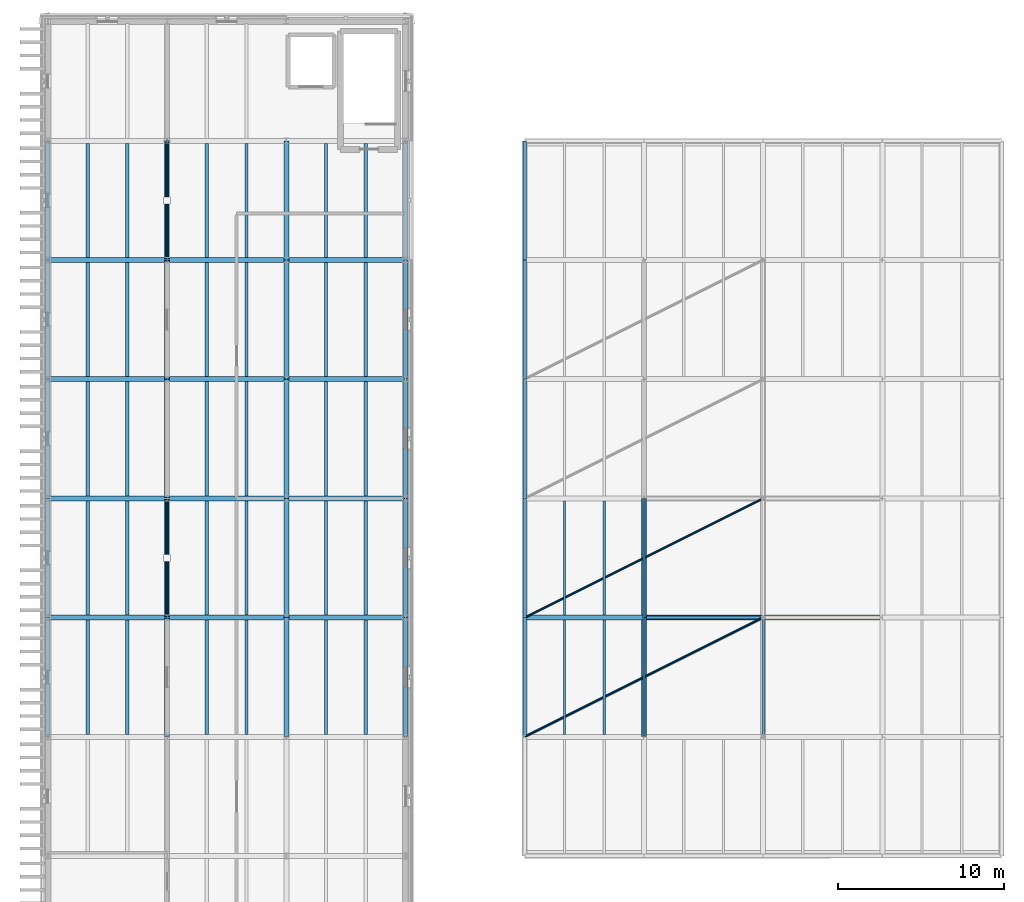
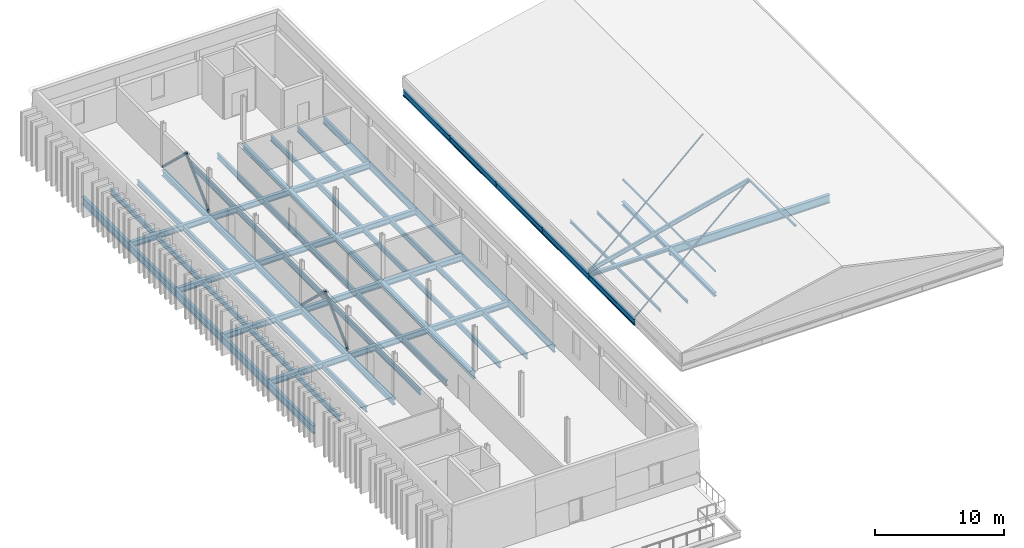
# One storey, part 5 of 44: 75 beams, 10 members.
"""IFC4 building model written with IfcOpenShell, lengths in metres."""

from ifc_helpers import new_model, si_unit, direction, frame, origin, origin_2d, place, context, subcontext, project, spatial, hollow_rectangle, hollow_circle, i_section, extrude, material, material_profile, profile_set, type_object, element, save


model = new_model("IFC4")

# Units and contexts
model_context = context("Model", 3, precision=1e-05, world=origin(), true_north=direction((0.0, 1.0)))
body_context = subcontext(model_context, "Body", "Model", "MODEL_VIEW")
ifc_project = project(units=[si_unit("LENGTHUNIT", "METRE"), si_unit("AREAUNIT", "SQUARE_METRE"), si_unit("VOLUMEUNIT", "CUBIC_METRE"), si_unit("PLANEANGLEUNIT", "RADIAN"), si_unit("MASSUNIT", "GRAM", prefix="KILO")], contexts=[model_context])

# Site, building, storey
site_placement = place(None, origin())
site = spatial("IfcSite", under=ifc_project, at=site_placement, CompositionType="ELEMENT")
building_placement = place(site_placement, origin())
building = spatial("IfcBuilding", under=site, at=building_placement, Name="Narikvali Park Central Library", CompositionType="ELEMENT")
storey_placement = place(building_placement, frame((0.0, 0.0, 22.800048828125)))
storey = spatial("IfcBuildingStorey", under=building, at=storey_placement, Name="L05", CompositionType="ELEMENT", Elevation=22.800048828125)

# Beams
ifc_material = material(Name="Steel S355", Category="steel")
ifc_material_profile_1 = material_profile(ifc_material, i_section(OverallWidth=0.300048828125, OverallDepth=0.7900390625, WebThickness=0.014892578125, FlangeThickness=0.028076171875, FilletRadius=0.030029296875, at=origin_2d()), Name="HEA 800")
ifc_profile_set_1 = profile_set([ifc_material_profile_1], Name="Steel S355")
beam_type_1 = type_object("IfcBeamType", Name="Atrium Span Girder HEA800", PredefinedType="BEAM", material=ifc_profile_set_1)
beam_1_placement = place(storey_placement, frame((36.008056640625, 72.0, -0.635009765625), z_axis=(1.0, 0.0, 0.0), x_axis=(0.0, 1.0, 0.0)))
element("IfcBeam", 1, at=beam_1_placement, inside=storey, type_object=beam_type_1, Name="V4 L05 Girder X", PredefinedType="BEAM", context=body_context, shape_type="SweptSolid", body=[
    extrude(i_section(OverallWidth=0.300048828125, OverallDepth=0.7900390625, WebThickness=0.014892578125, FlangeThickness=0.028076171875, FilletRadius=0.030029296875, at=origin_2d()), origin(), (0.0, 0.0, 1.0), 14.384033203125),
])
ifc_material_profile_2 = material_profile(ifc_material, i_section(OverallWidth=0.135009765625, OverallDepth=0.27001953125, WebThickness=0.006591796875, FlangeThickness=0.01025390625, FilletRadius=0.014892578125, at=origin_2d()), Name="IPE 270")
ifc_profile_set_2 = profile_set([ifc_material_profile_2], Name="Steel S355")
beam_type_2 = type_object("IfcBeamType", Name="Composite Floor Joist IPE270", PredefinedType="JOIST", material=ifc_profile_set_2)
for number, where, z_axis, x_axis, name in (
    (2, (31.199951171875, 64.949951171875, -0.375), (0.0, 1.0, 0.0), (-1.0, 0.0, 0.0), "V4 L05 Composite Joist 1"),
    (3, (33.60009765625, 64.949951171875, -0.375), (0.0, 1.0, 0.0), (-1.0, 0.0, 0.0), "V4 L05 Composite Joist 2"),
    (4, (31.199951171875, 72.14990234375, -0.375), (0.0, 1.0, 0.0), (-1.0, 0.0, 0.0), "V4 L05 Composite Joist 1"),
    (5, (33.60009765625, 72.14990234375, -0.375), (0.0, 1.0, 0.0), (-1.0, 0.0, 0.0), "V4 L05 Composite Joist 2"),
):
    element("IfcBeam", number, at=place(storey_placement, frame(where, z_axis=z_axis, x_axis=x_axis)), inside=storey, type_object=beam_type_2, Name=name, PredefinedType="JOIST", context=body_context, shape_type="SweptSolid", body=[
        extrude(i_section(OverallWidth=0.135009765625, OverallDepth=0.27001953125, WebThickness=0.006591796875, FlangeThickness=0.01025390625, FilletRadius=0.014892578125, at=origin_2d()), origin(), (0.0, 0.0, 1.0), 6.900146484375),
    ])
ifc_material_profile_3 = material_profile(ifc_material, i_section(OverallWidth=0.199951171875, OverallDepth=0.5, WebThickness=0.01025390625, FlangeThickness=0.01611328125, FilletRadius=0.02099609375, at=origin_2d()), Name="IPE 500")
ifc_profile_set_3 = profile_set([ifc_material_profile_3], Name="Steel S355")
beam_type_3 = type_object("IfcBeamType", Name="Composite Floor Joist IPE500", PredefinedType="JOIST", material=ifc_profile_set_3)
for number, where, z_axis, x_axis, name in (
    (6, (2.39990234375, 64.949951171875, -0.510009765625), (0.0, 1.0, 0.0), (-1.0, 0.0, 0.0), "V5 L05 Composite Joist 1"),
    (7, (4.800048828125, 64.949951171875, -0.510009765625), (0.0, 1.0, 0.0), (-1.0, 0.0, 0.0), "V5 L05 Composite Joist 2"),
    (8, (2.39990234375, 72.14990234375, -0.510009765625), (0.0, 1.0, 0.0), (-1.0, 0.0, 0.0), "V5 L05 Composite Joist 1"),
    (9, (4.800048828125, 72.14990234375, -0.510009765625), (0.0, 1.0, 0.0), (-1.0, 0.0, 0.0), "V5 L05 Composite Joist 2"),
):
    element("IfcBeam", number, at=place(storey_placement, frame(where, z_axis=z_axis, x_axis=x_axis)), inside=storey, type_object=beam_type_3, Name=name, PredefinedType="JOIST", context=body_context, shape_type="SweptSolid", body=[
        extrude(i_section(OverallWidth=0.199951171875, OverallDepth=0.5, WebThickness=0.01025390625, FlangeThickness=0.01611328125, FilletRadius=0.02099609375, at=origin_2d()), origin(), (0.0, 0.0, 1.0), 6.900146484375),
    ])
for number, where, z_axis, x_axis, name in (
    (10, (2.39990234375, 79.35009765625, -0.510009765625), (0.0, 1.0, 0.0), (-1.0, 0.0, 0.0), "V5 L05 Composite Joist 1"),
    (11, (4.800048828125, 79.35009765625, -0.510009765625), (0.0, 1.0, 0.0), (-1.0, 0.0, 0.0), "V5 L05 Composite Joist 2"),
    (12, (2.39990234375, 86.550048828125, -0.510009765625), (0.0, 1.0, 0.0), (-1.0, 0.0, 0.0), "V5 L05 Composite Joist 1"),
    (13, (4.800048828125, 86.550048828125, -0.510009765625), (0.0, 1.0, 0.0), (-1.0, 0.0, 0.0), "V5 L05 Composite Joist 2"),
    (14, (2.39990234375, 93.75, -0.510009765625), (0.0, 1.0, 0.0), (-1.0, 0.0, 0.0), "V5 L05 Composite Joist 1"),
    (15, (4.800048828125, 93.75, -0.510009765625), (0.0, 1.0, 0.0), (-1.0, 0.0, 0.0), "V5 L05 Composite Joist 2"),
):
    element("IfcBeam", number, at=place(storey_placement, frame(where, z_axis=z_axis, x_axis=x_axis)), inside=storey, type_object=beam_type_3, Name=name, PredefinedType="JOIST", context=body_context, shape_type="SweptSolid", body=[
        extrude(i_section(OverallWidth=0.199951171875, OverallDepth=0.5, WebThickness=0.01025390625, FlangeThickness=0.01611328125, FilletRadius=0.02099609375, at=origin_2d()), origin(), (0.0, 0.0, 1.0), 6.89990234375),
    ])
for number, where, z_axis, x_axis, name in (
    (16, (9.60009765625, 64.949951171875, -0.510009765625), (0.0, 1.0, 0.0), (-1.0, 0.0, 0.0), "V5 L05 Composite Joist 1"),
    (17, (12.0, 64.949951171875, -0.510009765625), (0.0, 1.0, 0.0), (-1.0, 0.0, 0.0), "V5 L05 Composite Joist 2"),
    (18, (9.60009765625, 72.14990234375, -0.510009765625), (0.0, 1.0, 0.0), (-1.0, 0.0, 0.0), "V5 L05 Composite Joist 1"),
    (19, (12.0, 72.14990234375, -0.510009765625), (0.0, 1.0, 0.0), (-1.0, 0.0, 0.0), "V5 L05 Composite Joist 2"),
):
    element("IfcBeam", number, at=place(storey_placement, frame(where, z_axis=z_axis, x_axis=x_axis)), inside=storey, type_object=beam_type_3, Name=name, PredefinedType="JOIST", context=body_context, shape_type="SweptSolid", body=[
        extrude(i_section(OverallWidth=0.199951171875, OverallDepth=0.5, WebThickness=0.01025390625, FlangeThickness=0.01611328125, FilletRadius=0.02099609375, at=origin_2d()), origin(), (0.0, 0.0, 1.0), 6.900146484375),
    ])
for number, where, z_axis, x_axis, name in (
    (20, (9.60009765625, 79.35009765625, -0.510009765625), (0.0, 1.0, 0.0), (-1.0, 0.0, 0.0), "V5 L05 Composite Joist 1"),
    (21, (12.0, 79.35009765625, -0.510009765625), (0.0, 1.0, 0.0), (-1.0, 0.0, 0.0), "V5 L05 Composite Joist 2"),
    (22, (9.60009765625, 86.550048828125, -0.510009765625), (0.0, 1.0, 0.0), (-1.0, 0.0, 0.0), "V5 L05 Composite Joist 1"),
    (23, (12.0, 86.550048828125, -0.510009765625), (0.0, 1.0, 0.0), (-1.0, 0.0, 0.0), "V5 L05 Composite Joist 2"),
    (24, (9.60009765625, 93.75, -0.510009765625), (0.0, 1.0, 0.0), (-1.0, 0.0, 0.0), "V5 L05 Composite Joist 1"),
    (25, (12.0, 93.75, -0.510009765625), (0.0, 1.0, 0.0), (-1.0, 0.0, 0.0), "V5 L05 Composite Joist 2"),
):
    element("IfcBeam", number, at=place(storey_placement, frame(where, z_axis=z_axis, x_axis=x_axis)), inside=storey, type_object=beam_type_3, Name=name, PredefinedType="JOIST", context=body_context, shape_type="SweptSolid", body=[
        extrude(i_section(OverallWidth=0.199951171875, OverallDepth=0.5, WebThickness=0.01025390625, FlangeThickness=0.01611328125, FilletRadius=0.02099609375, at=origin_2d()), origin(), (0.0, 0.0, 1.0), 6.89990234375),
    ])
for number, where, z_axis, x_axis, name in (
    (26, (16.800048828125, 64.949951171875, -0.510009765625), (0.0, 1.0, 0.0), (-1.0, 0.0, 0.0), "V5 L05 Composite Joist 1"),
    (27, (19.199951171875, 64.949951171875, -0.510009765625), (0.0, 1.0, 0.0), (-1.0, 0.0, 0.0), "V5 L05 Composite Joist 2"),
    (28, (16.800048828125, 72.14990234375, -0.510009765625), (0.0, 1.0, 0.0), (-1.0, 0.0, 0.0), "V5 L05 Composite Joist 1"),
    (29, (19.199951171875, 72.14990234375, -0.510009765625), (0.0, 1.0, 0.0), (-1.0, 0.0, 0.0), "V5 L05 Composite Joist 2"),
):
    element("IfcBeam", number, at=place(storey_placement, frame(where, z_axis=z_axis, x_axis=x_axis)), inside=storey, type_object=beam_type_3, Name=name, PredefinedType="JOIST", context=body_context, shape_type="SweptSolid", body=[
        extrude(i_section(OverallWidth=0.199951171875, OverallDepth=0.5, WebThickness=0.01025390625, FlangeThickness=0.01611328125, FilletRadius=0.02099609375, at=origin_2d()), origin(), (0.0, 0.0, 1.0), 6.900146484375),
    ])
for number, where, z_axis, x_axis, name in (
    (30, (16.800048828125, 79.35009765625, -0.510009765625), (0.0, 1.0, 0.0), (-1.0, 0.0, 0.0), "V5 L05 Composite Joist 1"),
    (31, (19.199951171875, 79.35009765625, -0.510009765625), (0.0, 1.0, 0.0), (-1.0, 0.0, 0.0), "V5 L05 Composite Joist 2"),
    (32, (16.800048828125, 86.550048828125, -0.510009765625), (0.0, 1.0, 0.0), (-1.0, 0.0, 0.0), "V5 L05 Composite Joist 1"),
    (33, (19.199951171875, 86.550048828125, -0.510009765625), (0.0, 1.0, 0.0), (-1.0, 0.0, 0.0), "V5 L05 Composite Joist 2"),
    (34, (16.800048828125, 93.75, -0.510009765625), (0.0, 1.0, 0.0), (-1.0, 0.0, 0.0), "V5 L05 Composite Joist 1"),
    (35, (19.199951171875, 93.75, -0.510009765625), (0.0, 1.0, 0.0), (-1.0, 0.0, 0.0), "V5 L05 Composite Joist 2"),
):
    element("IfcBeam", number, at=place(storey_placement, frame(where, z_axis=z_axis, x_axis=x_axis)), inside=storey, type_object=beam_type_3, Name=name, PredefinedType="JOIST", context=body_context, shape_type="SweptSolid", body=[
        extrude(i_section(OverallWidth=0.199951171875, OverallDepth=0.5, WebThickness=0.01025390625, FlangeThickness=0.01611328125, FilletRadius=0.02099609375, at=origin_2d()), origin(), (0.0, 0.0, 1.0), 6.89990234375),
    ])
ifc_material_profile_4 = material_profile(ifc_material, i_section(OverallWidth=0.264892578125, OverallDepth=0.7529296875, WebThickness=0.01318359375, FlangeThickness=0.01708984375, FilletRadius=0.01708984375, at=origin_2d()), Name="IPE 750x147")
ifc_profile_set_4 = profile_set([ifc_material_profile_4], Name="Steel S355")
beam_type_4 = type_object("IfcBeamType", Name="Fin Facade Spandrel IPE750", PredefinedType="SPANDREL", material=ifc_profile_set_4)
for number, where, z_axis, x_axis, name in (
    (36, (0.0, 64.80810546875, -0.636474609375), (0.0, 1.0, 0.0), (-1.0, 0.0, 0.0), "V5 L05 Girder Y"),
    (37, (0.0, 72.008056640625, -0.636474609375), (0.0, 1.0, 0.0), (-1.0, 0.0, 0.0), "V5 L05 Girder Y"),
):
    element("IfcBeam", number, at=place(storey_placement, frame(where, z_axis=z_axis, x_axis=x_axis)), inside=storey, type_object=beam_type_4, Name=name, PredefinedType="SPANDREL", context=body_context, shape_type="SweptSolid", body=[
        extrude(i_section(OverallWidth=0.264892578125, OverallDepth=0.7529296875, WebThickness=0.01318359375, FlangeThickness=0.01708984375, FilletRadius=0.01708984375, at=origin_2d()), origin(), (0.0, 0.0, 1.0), 7.183837890625),
    ])
for number, where, z_axis, x_axis, name in (
    (38, (0.0, 79.2080078125, -0.636474609375), (0.0, 1.0, 0.0), (-1.0, 0.0, 0.0), "V5 L05 Girder Y"),
    (39, (0.0, 86.407958984375, -0.636474609375), (0.0, 1.0, 0.0), (-1.0, 0.0, 0.0), "V5 L05 Girder Y"),
    (40, (0.0, 93.60791015625, -0.636474609375), (0.0, 1.0, 0.0), (-1.0, 0.0, 0.0), "V5 L05 Girder Y"),
):
    element("IfcBeam", number, at=place(storey_placement, frame(where, z_axis=z_axis, x_axis=x_axis)), inside=storey, type_object=beam_type_4, Name=name, PredefinedType="SPANDREL", context=body_context, shape_type="SweptSolid", body=[
        extrude(i_section(OverallWidth=0.264892578125, OverallDepth=0.7529296875, WebThickness=0.01318359375, FlangeThickness=0.01708984375, FilletRadius=0.01708984375, at=origin_2d()), origin(), (0.0, 0.0, 1.0), 7.18408203125),
    ])

# Members
ifc_material_profile_5 = material_profile(ifc_material, i_section(OverallWidth=0.179931640625, OverallDepth=0.39990234375, WebThickness=0.008544921875, FlangeThickness=0.013427734375, FilletRadius=0.02099609375, at=origin_2d()), Name="IPE 400")
ifc_profile_set_5 = profile_set([ifc_material_profile_5], Name="Steel S355")
member_type_1 = type_object("IfcMemberType", Name="Long-Span Pavilion Rafter IPE400", PredefinedType="RAFTER", material=ifc_profile_set_5)
member_1_placement = place(storey_placement, frame((28.800048828125, 72.0, 0.0), z_axis=(0.97014443519, 0.0, 0.242527884726), x_axis=(0.0, 1.0, 0.0)))
element("IfcMember", 41, at=member_1_placement, inside=storey, type_object=member_type_1, Name="V4 Roof Rafter W 2", PredefinedType="RAFTER", context=body_context, shape_type="SweptSolid", body=[
    extrude(i_section(OverallWidth=0.179931640625, OverallDepth=0.39990234375, WebThickness=0.008544921875, FlangeThickness=0.013427734375, FilletRadius=0.02099609375, at=origin_2d()), origin(), (0.0, 0.0, 1.0), 14.843017578125),
])
ifc_material_profile_6 = material_profile(ifc_material, hollow_circle(Radius=0.06982421875, WallThickness=0.008056640625, at=origin_2d()), Name="CHS 139.7x8")
ifc_profile_set_6 = profile_set([ifc_material_profile_6], Name="Steel S355")
member_type_2 = type_object("IfcMemberType", Name="Pavilion Roof Wind Brace CHS139", PredefinedType="BRACE", material=ifc_profile_set_6)
for number, where, z_axis, x_axis, name in (
    (42, (28.800048828125, 64.800048828125, 0.0), (0.872872970347, 0.436436485174, 0.218210843101), (-0.4472135955, 0.894427191, 0.0), "V4 Roof Wind Brace 1"),
    (43, (28.800048828125, 72.0, 0.0), (0.872872970347, 0.436436485174, 0.218210843101), (-0.4472135955, 0.894427191, 0.0), "V4 Roof Wind Brace 2"),
):
    element("IfcMember", number, at=place(storey_placement, frame(where, z_axis=z_axis, x_axis=x_axis)), inside=storey, type_object=member_type_2, Name=name, PredefinedType="BRACE", context=body_context, shape_type="SweptSolid", body=[
        extrude(hollow_circle(Radius=0.06982421875, WallThickness=0.008056640625, at=origin_2d()), origin(), (0.0, 0.0, 1.0), 16.4970703125),
    ])

# Beams
ifc_material_profile_7 = material_profile(ifc_material, i_section(OverallWidth=0.2099609375, OverallDepth=0.550048828125, WebThickness=0.010986328125, FlangeThickness=0.01708984375, FilletRadius=0.02392578125, at=origin_2d()), Name="IPE 550")
ifc_profile_set_7 = profile_set([ifc_material_profile_7], Name="Steel S355")
beam_type_5 = type_object("IfcBeamType", Name="Perimeter Spandrel IPE550", PredefinedType="SPANDREL", material=ifc_profile_set_7)
for number, where, z_axis, x_axis, name in (
    (44, (28.800048828125, 64.80810546875, -0.51513671875), (0.0, 1.0, 0.0), (-1.0, 0.0, 0.0), "V4 L05 Girder Y"),
    (45, (28.800048828125, 72.008056640625, -0.51513671875), (0.0, 1.0, 0.0), (-1.0, 0.0, 0.0), "V4 L05 Girder Y"),
):
    element("IfcBeam", number, at=place(storey_placement, frame(where, z_axis=z_axis, x_axis=x_axis)), inside=storey, type_object=beam_type_5, Name=name, PredefinedType="SPANDREL", context=body_context, shape_type="SweptSolid", body=[
        extrude(i_section(OverallWidth=0.2099609375, OverallDepth=0.550048828125, WebThickness=0.010986328125, FlangeThickness=0.01708984375, FilletRadius=0.02392578125, at=origin_2d()), origin(), (0.0, 0.0, 1.0), 7.183837890625),
    ])
for number, where, z_axis, x_axis, name in (
    (46, (28.800048828125, 79.2080078125, -0.51513671875), (0.0, 1.0, 0.0), (-1.0, 0.0, 0.0), "V4 L05 Girder Y"),
    (47, (28.800048828125, 86.407958984375, -0.51513671875), (0.0, 1.0, 0.0), (-1.0, 0.0, 0.0), "V4 L05 Girder Y"),
    (48, (28.800048828125, 93.60791015625, -0.51513671875), (0.0, 1.0, 0.0), (-1.0, 0.0, 0.0), "V4 L05 Girder Y"),
):
    element("IfcBeam", number, at=place(storey_placement, frame(where, z_axis=z_axis, x_axis=x_axis)), inside=storey, type_object=beam_type_5, Name=name, PredefinedType="SPANDREL", context=body_context, shape_type="SweptSolid", body=[
        extrude(i_section(OverallWidth=0.2099609375, OverallDepth=0.550048828125, WebThickness=0.010986328125, FlangeThickness=0.01708984375, FilletRadius=0.02392578125, at=origin_2d()), origin(), (0.0, 0.0, 1.0), 7.18408203125),
    ])
ifc_material_profile_8 = material_profile(ifc_material, i_section(OverallWidth=0.219970703125, OverallDepth=0.60009765625, WebThickness=0.011962890625, FlangeThickness=0.01904296875, FilletRadius=0.02392578125, at=origin_2d()), Name="IPE 600")
ifc_profile_set_8 = profile_set([ifc_material_profile_8], Name="Steel S355")
beam_type_6 = type_object("IfcBeamType", Name="Perimeter Spandrel IPE600", PredefinedType="SPANDREL", material=ifc_profile_set_8)
for number, where, z_axis, x_axis, name in (
    (49, (21.60009765625, 64.80810546875, -0.56005859375), (0.0, 1.0, 0.0), (-1.0, 0.0, 0.0), "V5 L05 Girder Y"),
    (50, (21.60009765625, 72.008056640625, -0.56005859375), (0.0, 1.0, 0.0), (-1.0, 0.0, 0.0), "V5 L05 Girder Y"),
):
    element("IfcBeam", number, at=place(storey_placement, frame(where, z_axis=z_axis, x_axis=x_axis)), inside=storey, type_object=beam_type_6, Name=name, PredefinedType="SPANDREL", context=body_context, shape_type="SweptSolid", body=[
        extrude(i_section(OverallWidth=0.219970703125, OverallDepth=0.60009765625, WebThickness=0.011962890625, FlangeThickness=0.01904296875, FilletRadius=0.02392578125, at=origin_2d()), origin(), (0.0, 0.0, 1.0), 7.183837890625),
    ])
for number, where, z_axis, x_axis, name in (
    (51, (21.60009765625, 79.2080078125, -0.56005859375), (0.0, 1.0, 0.0), (-1.0, 0.0, 0.0), "V5 L05 Girder Y"),
    (52, (21.60009765625, 86.407958984375, -0.56005859375), (0.0, 1.0, 0.0), (-1.0, 0.0, 0.0), "V5 L05 Girder Y"),
    (53, (21.60009765625, 93.60791015625, -0.56005859375), (0.0, 1.0, 0.0), (-1.0, 0.0, 0.0), "V5 L05 Girder Y"),
):
    element("IfcBeam", number, at=place(storey_placement, frame(where, z_axis=z_axis, x_axis=x_axis)), inside=storey, type_object=beam_type_6, Name=name, PredefinedType="SPANDREL", context=body_context, shape_type="SweptSolid", body=[
        extrude(i_section(OverallWidth=0.219970703125, OverallDepth=0.60009765625, WebThickness=0.011962890625, FlangeThickness=0.01904296875, FilletRadius=0.02392578125, at=origin_2d()), origin(), (0.0, 0.0, 1.0), 7.18408203125),
    ])
ifc_material_profile_9 = material_profile(ifc_material, i_section(OverallWidth=0.300048828125, OverallDepth=0.31005859375, WebThickness=0.009033203125, FlangeThickness=0.015380859375, FilletRadius=0.027099609375, at=origin_2d()), Name="HEA 320")
ifc_profile_set_9 = profile_set([ifc_material_profile_9], Name="Steel S355")
beam_type_7 = type_object("IfcBeamType", Name="Primary Girder HEA320", PredefinedType="BEAM", material=ifc_profile_set_9)
beam_2_placement = place(storey_placement, frame((28.80810546875, 72.0, -0.39501953125), z_axis=(1.0, 0.0, 0.0), x_axis=(0.0, 1.0, 0.0)))
element("IfcBeam", 54, at=beam_2_placement, inside=storey, type_object=beam_type_7, Name="V4 L05 Girder X", PredefinedType="BEAM", context=body_context, shape_type="SweptSolid", body=[
    extrude(i_section(OverallWidth=0.300048828125, OverallDepth=0.31005859375, WebThickness=0.009033203125, FlangeThickness=0.015380859375, FilletRadius=0.027099609375, at=origin_2d()), origin(), (0.0, 0.0, 1.0), 7.183837890625),
])
ifc_material_profile_10 = material_profile(ifc_material, i_section(OverallWidth=0.300048828125, OverallDepth=0.35009765625, WebThickness=0.010009765625, FlangeThickness=0.017578125, FilletRadius=0.027099609375, at=origin_2d()), Name="HEA 360")
ifc_profile_set_10 = profile_set([ifc_material_profile_10], Name="Steel S355")
beam_type_8 = type_object("IfcBeamType", Name="Primary Girder HEA360", PredefinedType="BEAM", material=ifc_profile_set_10)
for number, where, z_axis, x_axis, name in (
    (55, (36.0, 64.80810546875, -0.4150390625), (0.0, 1.0, 0.0), (-1.0, 0.0, 0.0), "V4 L05 Girder Y"),
    (56, (36.0, 72.008056640625, -0.4150390625), (0.0, 1.0, 0.0), (-1.0, 0.0, 0.0), "V4 L05 Girder Y"),
):
    element("IfcBeam", number, at=place(storey_placement, frame(where, z_axis=z_axis, x_axis=x_axis)), inside=storey, type_object=beam_type_8, Name=name, PredefinedType="BEAM", context=body_context, shape_type="SweptSolid", body=[
        extrude(i_section(OverallWidth=0.300048828125, OverallDepth=0.35009765625, WebThickness=0.010009765625, FlangeThickness=0.017578125, FilletRadius=0.027099609375, at=origin_2d()), origin(), (0.0, 0.0, 1.0), 7.183837890625),
    ])
ifc_material_profile_11 = material_profile(ifc_material, i_section(OverallWidth=0.300048828125, OverallDepth=0.5400390625, WebThickness=0.012451171875, FlangeThickness=0.02392578125, FilletRadius=0.027099609375, at=origin_2d()), Name="HEA 550")
ifc_profile_set_11 = profile_set([ifc_material_profile_11], Name="Steel S355")
beam_type_9 = type_object("IfcBeamType", Name="Primary Girder HEA550", PredefinedType="BEAM", material=ifc_profile_set_11)
for number, where, z_axis, x_axis, name in (
    (57, (7.199951171875, 64.80810546875, -0.530029296875), (0.0, 1.0, 0.0), (-1.0, 0.0, 0.0), "V5 L05 Girder Y"),
    (58, (7.199951171875, 72.008056640625, -0.530029296875), (0.0, 1.0, 0.0), (-1.0, 0.0, 0.0), "V5 L05 Girder Y"),
):
    element("IfcBeam", number, at=place(storey_placement, frame(where, z_axis=z_axis, x_axis=x_axis)), inside=storey, type_object=beam_type_9, Name=name, PredefinedType="BEAM", context=body_context, shape_type="SweptSolid", body=[
        extrude(i_section(OverallWidth=0.300048828125, OverallDepth=0.5400390625, WebThickness=0.012451171875, FlangeThickness=0.02392578125, FilletRadius=0.027099609375, at=origin_2d()), origin(), (0.0, 0.0, 1.0), 7.183837890625),
    ])
for number, where, z_axis, x_axis, name in (
    (59, (7.199951171875, 79.2080078125, -0.530029296875), (0.0, 1.0, 0.0), (-1.0, 0.0, 0.0), "V5 L05 Girder Y"),
    (60, (7.199951171875, 86.407958984375, -0.530029296875), (0.0, 1.0, 0.0), (-1.0, 0.0, 0.0), "V5 L05 Girder Y"),
    (61, (7.199951171875, 93.60791015625, -0.530029296875), (0.0, 1.0, 0.0), (-1.0, 0.0, 0.0), "V5 L05 Girder Y"),
):
    element("IfcBeam", number, at=place(storey_placement, frame(where, z_axis=z_axis, x_axis=x_axis)), inside=storey, type_object=beam_type_9, Name=name, PredefinedType="BEAM", context=body_context, shape_type="SweptSolid", body=[
        extrude(i_section(OverallWidth=0.300048828125, OverallDepth=0.5400390625, WebThickness=0.012451171875, FlangeThickness=0.02392578125, FilletRadius=0.027099609375, at=origin_2d()), origin(), (0.0, 0.0, 1.0), 7.18408203125),
    ])
for number, where, z_axis, x_axis, name in (
    (62, (14.39990234375, 64.80810546875, -0.530029296875), (0.0, 1.0, 0.0), (-1.0, 0.0, 0.0), "V5 L05 Girder Y"),
    (63, (14.39990234375, 72.008056640625, -0.530029296875), (0.0, 1.0, 0.0), (-1.0, 0.0, 0.0), "V5 L05 Girder Y"),
):
    element("IfcBeam", number, at=place(storey_placement, frame(where, z_axis=z_axis, x_axis=x_axis)), inside=storey, type_object=beam_type_9, Name=name, PredefinedType="BEAM", context=body_context, shape_type="SweptSolid", body=[
        extrude(i_section(OverallWidth=0.300048828125, OverallDepth=0.5400390625, WebThickness=0.012451171875, FlangeThickness=0.02392578125, FilletRadius=0.027099609375, at=origin_2d()), origin(), (0.0, 0.0, 1.0), 7.183837890625),
    ])
for number, where, z_axis, x_axis, name in (
    (64, (14.39990234375, 79.2080078125, -0.530029296875), (0.0, 1.0, 0.0), (-1.0, 0.0, 0.0), "V5 L05 Girder Y"),
    (65, (14.39990234375, 86.407958984375, -0.530029296875), (0.0, 1.0, 0.0), (-1.0, 0.0, 0.0), "V5 L05 Girder Y"),
    (66, (14.39990234375, 93.60791015625, -0.530029296875), (0.0, 1.0, 0.0), (-1.0, 0.0, 0.0), "V5 L05 Girder Y"),
):
    element("IfcBeam", number, at=place(storey_placement, frame(where, z_axis=z_axis, x_axis=x_axis)), inside=storey, type_object=beam_type_9, Name=name, PredefinedType="BEAM", context=body_context, shape_type="SweptSolid", body=[
        extrude(i_section(OverallWidth=0.300048828125, OverallDepth=0.5400390625, WebThickness=0.012451171875, FlangeThickness=0.02392578125, FilletRadius=0.027099609375, at=origin_2d()), origin(), (0.0, 0.0, 1.0), 7.18408203125),
    ])
ifc_material_profile_12 = material_profile(ifc_material, i_section(OverallWidth=0.300048828125, OverallDepth=0.550048828125, WebThickness=0.014892578125, FlangeThickness=0.029052734375, FilletRadius=0.027099609375, at=origin_2d()), Name="HEB 550")
ifc_profile_set_12 = profile_set([ifc_material_profile_12], Name="Steel S355")
beam_type_10 = type_object("IfcBeamType", Name="Primary Stack Girder HEB550", PredefinedType="BEAM", material=ifc_profile_set_12)
beam_3_placement = place(storey_placement, frame((0.008056640625, 72.0, -0.53515625), z_axis=(1.0, 0.0, 0.0), x_axis=(0.0, 1.0, 0.0)))
element("IfcBeam", 67, at=beam_3_placement, inside=storey, type_object=beam_type_10, Name="V5 L05 Girder X", PredefinedType="BEAM", context=body_context, shape_type="SweptSolid", body=[
    extrude(i_section(OverallWidth=0.300048828125, OverallDepth=0.550048828125, WebThickness=0.014892578125, FlangeThickness=0.029052734375, FilletRadius=0.027099609375, at=origin_2d()), origin(), (0.0, 0.0, 1.0), 7.183837890625),
])
for number, where, z_axis, x_axis, name in (
    (68, (7.2080078125, 72.0, -0.53515625), (1.0, 0.0, 0.0), (0.0, 1.0, 0.0), "V5 L05 Girder X"),
    (69, (14.407958984375, 72.0, -0.53515625), (1.0, 0.0, 0.0), (0.0, 1.0, 0.0), "V5 L05 Girder X"),
):
    element("IfcBeam", number, at=place(storey_placement, frame(where, z_axis=z_axis, x_axis=x_axis)), inside=storey, type_object=beam_type_10, Name=name, PredefinedType="BEAM", context=body_context, shape_type="SweptSolid", body=[
        extrude(i_section(OverallWidth=0.300048828125, OverallDepth=0.550048828125, WebThickness=0.014892578125, FlangeThickness=0.029052734375, FilletRadius=0.027099609375, at=origin_2d()), origin(), (0.0, 0.0, 1.0), 7.18408203125),
    ])
beam_4_placement = place(storey_placement, frame((0.008056640625, 79.199951171875, -0.53515625), z_axis=(1.0, 0.0, 0.0), x_axis=(0.0, 1.0, 0.0)))
element("IfcBeam", 70, at=beam_4_placement, inside=storey, type_object=beam_type_10, Name="V5 L05 Girder X", PredefinedType="BEAM", context=body_context, shape_type="SweptSolid", body=[
    extrude(i_section(OverallWidth=0.300048828125, OverallDepth=0.550048828125, WebThickness=0.014892578125, FlangeThickness=0.029052734375, FilletRadius=0.027099609375, at=origin_2d()), origin(), (0.0, 0.0, 1.0), 7.183837890625),
])
for number, where, z_axis, x_axis, name in (
    (71, (7.2080078125, 79.199951171875, -0.53515625), (1.0, 0.0, 0.0), (0.0, 1.0, 0.0), "V5 L05 Girder X"),
    (72, (14.407958984375, 79.199951171875, -0.53515625), (1.0, 0.0, 0.0), (0.0, 1.0, 0.0), "V5 L05 Girder X"),
):
    element("IfcBeam", number, at=place(storey_placement, frame(where, z_axis=z_axis, x_axis=x_axis)), inside=storey, type_object=beam_type_10, Name=name, PredefinedType="BEAM", context=body_context, shape_type="SweptSolid", body=[
        extrude(i_section(OverallWidth=0.300048828125, OverallDepth=0.550048828125, WebThickness=0.014892578125, FlangeThickness=0.029052734375, FilletRadius=0.027099609375, at=origin_2d()), origin(), (0.0, 0.0, 1.0), 7.18408203125),
    ])
beam_5_placement = place(storey_placement, frame((0.008056640625, 86.39990234375, -0.53515625), z_axis=(1.0, 0.0, 0.0), x_axis=(0.0, 1.0, 0.0)))
element("IfcBeam", 73, at=beam_5_placement, inside=storey, type_object=beam_type_10, Name="V5 L05 Girder X", PredefinedType="BEAM", context=body_context, shape_type="SweptSolid", body=[
    extrude(i_section(OverallWidth=0.300048828125, OverallDepth=0.550048828125, WebThickness=0.014892578125, FlangeThickness=0.029052734375, FilletRadius=0.027099609375, at=origin_2d()), origin(), (0.0, 0.0, 1.0), 7.183837890625),
])
for number, where, z_axis, x_axis, name in (
    (74, (7.2080078125, 86.39990234375, -0.53515625), (1.0, 0.0, 0.0), (0.0, 1.0, 0.0), "V5 L05 Girder X"),
    (75, (14.407958984375, 86.39990234375, -0.53515625), (1.0, 0.0, 0.0), (0.0, 1.0, 0.0), "V5 L05 Girder X"),
):
    element("IfcBeam", number, at=place(storey_placement, frame(where, z_axis=z_axis, x_axis=x_axis)), inside=storey, type_object=beam_type_10, Name=name, PredefinedType="BEAM", context=body_context, shape_type="SweptSolid", body=[
        extrude(i_section(OverallWidth=0.300048828125, OverallDepth=0.550048828125, WebThickness=0.014892578125, FlangeThickness=0.029052734375, FilletRadius=0.027099609375, at=origin_2d()), origin(), (0.0, 0.0, 1.0), 7.18408203125),
    ])
beam_6_placement = place(storey_placement, frame((0.008056640625, 93.60009765625, -0.53515625), z_axis=(1.0, 0.0, 0.0), x_axis=(0.0, 1.0, 0.0)))
element("IfcBeam", 76, at=beam_6_placement, inside=storey, type_object=beam_type_10, Name="V5 L05 Girder X", PredefinedType="BEAM", context=body_context, shape_type="SweptSolid", body=[
    extrude(i_section(OverallWidth=0.300048828125, OverallDepth=0.550048828125, WebThickness=0.014892578125, FlangeThickness=0.029052734375, FilletRadius=0.027099609375, at=origin_2d()), origin(), (0.0, 0.0, 1.0), 7.183837890625),
])
for number, where, z_axis, x_axis, name in (
    (77, (7.2080078125, 93.60009765625, -0.53515625), (1.0, 0.0, 0.0), (0.0, 1.0, 0.0), "V5 L05 Girder X"),
    (78, (14.407958984375, 93.60009765625, -0.53515625), (1.0, 0.0, 0.0), (0.0, 1.0, 0.0), "V5 L05 Girder X"),
):
    element("IfcBeam", number, at=place(storey_placement, frame(where, z_axis=z_axis, x_axis=x_axis)), inside=storey, type_object=beam_type_10, Name=name, PredefinedType="BEAM", context=body_context, shape_type="SweptSolid", body=[
        extrude(i_section(OverallWidth=0.300048828125, OverallDepth=0.550048828125, WebThickness=0.014892578125, FlangeThickness=0.029052734375, FilletRadius=0.027099609375, at=origin_2d()), origin(), (0.0, 0.0, 1.0), 7.18408203125),
    ])

# Members
ifc_material_profile_13 = material_profile(ifc_material, hollow_rectangle(XDim=0.1201171875, YDim=0.1201171875, WallThickness=0.008056640625, at=origin_2d()), Name="SHS 120x120x8")
ifc_profile_set_13 = profile_set([ifc_material_profile_13], Name="Steel S355")
member_type_3 = type_object("IfcMemberType", Name="Roof Eave Strut SHS120x120", PredefinedType="PURLIN", material=ifc_profile_set_13)
for number, where, z_axis, x_axis, name in (
    (79, (36.0, 64.800048828125, 1.800048828125), (0.0, 1.0, 0.0), (-1.0, 0.0, 0.0), "V4 Mid-Slope Purlin 1"),
    (80, (36.0, 72.0, 1.800048828125), (0.0, 1.0, 0.0), (-1.0, 0.0, 0.0), "V4 Mid-Slope Purlin 2"),
):
    element("IfcMember", number, at=place(storey_placement, frame(where, z_axis=z_axis, x_axis=x_axis)), inside=storey, type_object=member_type_3, Name=name, PredefinedType="PURLIN", context=body_context, shape_type="SweptSolid", body=[
        extrude(hollow_rectangle(XDim=0.1201171875, YDim=0.1201171875, WallThickness=0.008056640625, at=origin_2d()), origin(), (0.0, 0.0, 1.0), 7.199951171875),
    ])
ifc_material_profile_14 = material_profile(ifc_material, hollow_rectangle(XDim=0.14990234375, YDim=0.14990234375, WallThickness=0.010009765625, at=origin_2d()), Name="SHS 150x150x10")
ifc_profile_set_14 = profile_set([ifc_material_profile_14], Name="Steel S355")
member_type_4 = type_object("IfcMemberType", Name="Roof Steel Purlin SHS150x150", PredefinedType="PURLIN", material=ifc_profile_set_14)
member_2_placement = place(storey_placement, frame((43.199951171875, 64.800048828125, 3.599853515625), z_axis=(0.0, 1.0, 0.0), x_axis=(-1.0, 0.0, 0.0)))
element("IfcMember", 81, at=member_2_placement, inside=storey, type_object=member_type_4, Name="V4 Ridge Purlin 1", PredefinedType="PURLIN", context=body_context, shape_type="SweptSolid", body=[
    extrude(hollow_rectangle(XDim=0.14990234375, YDim=0.14990234375, WallThickness=0.010009765625, at=origin_2d()), origin(), (0.0, 0.0, 1.0), 7.199951171875),
])
ifc_material_profile_15 = material_profile(ifc_material, hollow_circle(Radius=0.122314453125, WallThickness=0.012451171875, at=origin_2d()), Name="CHS 244.5x12.5")
ifc_profile_set_15 = profile_set([ifc_material_profile_15], Name="Steel S355")
member_type_5 = type_object("IfcMemberType", Name="Upper Chevron Brace CHS244", PredefinedType="BRACE", material=ifc_profile_set_15)
member_3_placement = place(storey_placement, frame((7.199951171875, 72.014892578125, 0.014892578125), z_axis=(0.0, 0.723072666096, 0.690771973624), x_axis=(-1.0, 0.0, 0.0)))
element("IfcMember", 82, at=member_3_placement, inside=storey, type_object=member_type_5, Name="V5 L05 Seismic Chevron Brace A", PredefinedType="BRACE", context=body_context, shape_type="SweptSolid", body=[
    extrude(hollow_circle(Radius=0.122314453125, WallThickness=0.012451171875, at=origin_2d()), origin(), (0.0, 0.0, 1.0), 4.958251953125),
])
for number, where, z_axis, x_axis, name in (
    (83, (7.199951171875, 79.18505859375, 0.014892578125), (0.0, -0.723049169735, 0.690796567844), (1.0, 0.0, 0.0), "V5 L05 Seismic Chevron Brace B"),
    (84, (7.199951171875, 93.614990234375, 0.014892578125), (0.0, 0.723049169735, 0.690796567844), (-1.0, 0.0, 0.0), "V5 L05 Seismic Chevron Brace A"),
    (85, (7.199951171875, 100.784912109375, 0.014892578125), (0.0, -0.723049169735, 0.690796567844), (1.0, 0.0, 0.0), "V5 L05 Seismic Chevron Brace B"),
):
    element("IfcMember", number, at=place(storey_placement, frame(where, z_axis=z_axis, x_axis=x_axis)), inside=storey, type_object=member_type_5, Name=name, PredefinedType="BRACE", context=body_context, shape_type="SweptSolid", body=[
        extrude(hollow_circle(Radius=0.122314453125, WallThickness=0.012451171875, at=origin_2d()), origin(), (0.0, 0.0, 1.0), 4.9580078125),
    ])

save(model, "model.ifc")
